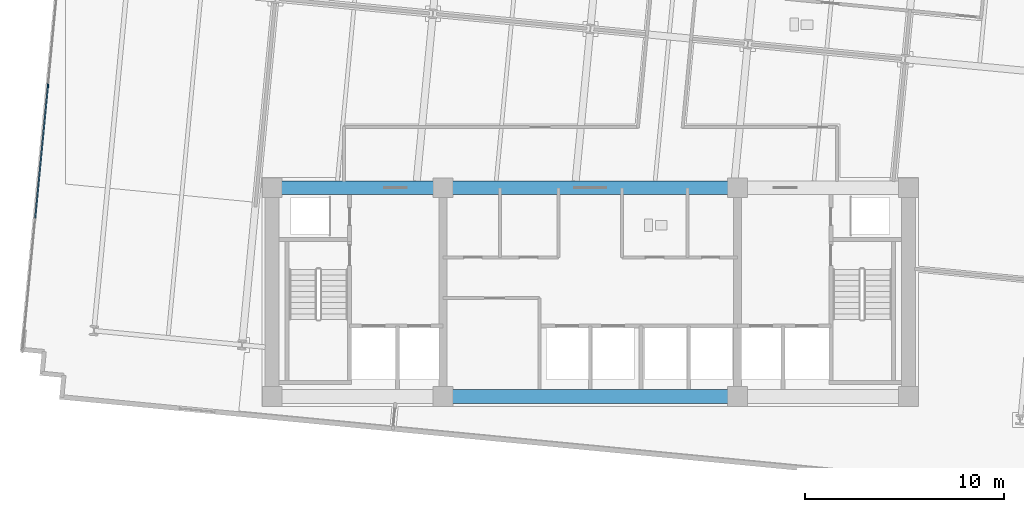
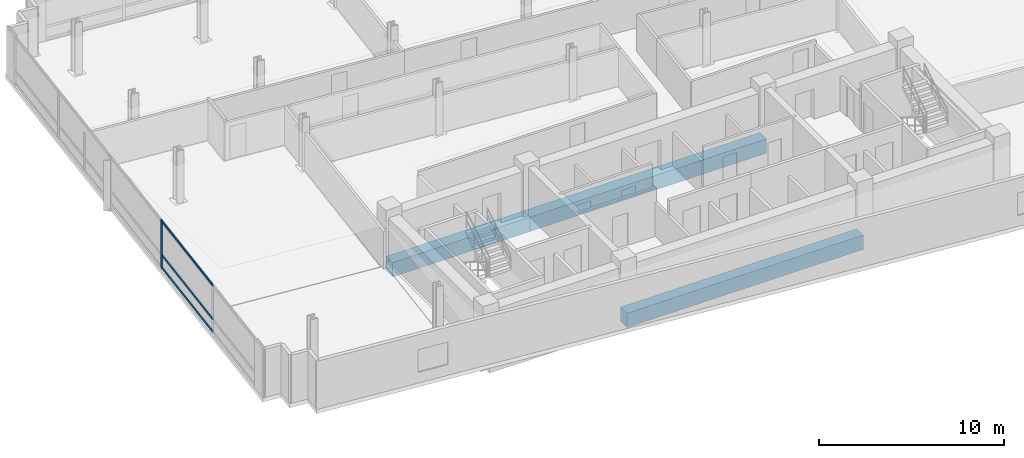
# One storey, part 3 of 17: 4 members, 3 beams, 1 element without a shape of its own.
"""IFC4 building model written with IfcOpenShell, lengths in metres."""

from ifc_helpers import new_model, si_unit, direction, frame, origin, origin_2d, place, context, subcontext, project, spatial, rectangle, extrude, material, material_profile, profile_set, type_object, element, aggregate, save


model = new_model("IFC4")

# Units and contexts
model_context = context("Model", 3, precision=1e-05, world=origin(), true_north=direction((0.0, 1.0)))
body_context = subcontext(model_context, "Body", "Model", "MODEL_VIEW")
ifc_project = project(units=[si_unit("LENGTHUNIT", "METRE"), si_unit("AREAUNIT", "SQUARE_METRE"), si_unit("VOLUMEUNIT", "CUBIC_METRE"), si_unit("PLANEANGLEUNIT", "RADIAN"), si_unit("MASSUNIT", "GRAM", prefix="KILO")], contexts=[model_context])

# Site, building, storey
site_placement = place(None, origin())
site = spatial("IfcSite", under=ifc_project, at=site_placement, CompositionType="ELEMENT")
building_placement = place(site_placement, origin())
building = spatial("IfcBuilding", under=site, at=building_placement, Name="Solmavex Isthmus Hotel", CompositionType="ELEMENT")
storey_placement = place(building_placement, frame((0.0, 0.0, 163.5)))
storey = spatial("IfcBuildingStorey", under=building, at=storey_placement, Name="L44", CompositionType="ELEMENT", Elevation=163.5)

# Beams
ifc_material_1 = material(Name="Concrete C60/75", Category="concrete")
ifc_material_profile_1 = material_profile(ifc_material_1, rectangle(XDim=0.699951171875, YDim=0.949951171875, at=origin_2d()), Name="RC700X950")
ifc_profile_set_1 = profile_set([ifc_material_profile_1], Name="Concrete C60/75")
beam_type = type_object("IfcBeamType", Name="BM-CB-700X950", PredefinedType="BEAM", material=ifc_profile_set_1)
beam_1_placement = place(storey_placement, frame((-7.39990234375, -13.0, -0.735107421875), z_axis=(1.0, 0.0, 0.0), x_axis=(0.0, 1.0, 0.0)))
element("IfcBeam", 1, at=beam_1_placement, inside=storey, type_object=beam_type, Name="Core Coupling Beam L44-CB2", PredefinedType="BEAM", context=body_context, shape_type="SweptSolid", body=[
    extrude(rectangle(XDim=0.699951171875, YDim=0.949951171875, at=origin_2d()), origin(), (0.0, 0.0, 1.0), 14.7998046875),
])
beam_2_placement = place(storey_placement, frame((-16.0, -2.5, -0.735107421875), z_axis=(1.0, 0.0, 0.0), x_axis=(0.0, 1.0, 0.0)))
element("IfcBeam", 2, at=beam_2_placement, inside=storey, type_object=beam_type, Name="Core Coupling Beam L44-CB4", PredefinedType="BEAM", context=body_context, shape_type="SweptSolid", body=[
    extrude(rectangle(XDim=0.699951171875, YDim=0.949951171875, at=origin_2d()), origin(), (0.0, 0.0, 1.0), 8.60009765625),
])
beam_3_placement = place(storey_placement, frame((-7.39990234375, -2.5, -0.735107421875), z_axis=(1.0, 0.0, 0.0), x_axis=(0.0, 1.0, 0.0)))
element("IfcBeam", 3, at=beam_3_placement, inside=storey, type_object=beam_type, Name="Core Coupling Beam L44-CB5", PredefinedType="BEAM", context=body_context, shape_type="SweptSolid", body=[
    extrude(rectangle(XDim=0.699951171875, YDim=0.949951171875, at=origin_2d()), origin(), (0.0, 0.0, 1.0), 14.7998046875),
])

# Curtain wall, members
ifc_material_2 = material(Name="Aluminium alloy 6063-T6", Category="aluminium")
curtain_wall_type = type_object("IfcCurtainWallType", Name="CW-SYS-03", PredefinedType="NOTDEFINED", material=ifc_material_2)
curtain_wall_placement = place(storey_placement, origin())
curtain_wall = element("IfcCurtainWall", 4, at=curtain_wall_placement, inside=storey, type_object=curtain_wall_type, Name="Stick Curtain Wall CWL-L44-W1", PredefinedType="NOTDEFINED")
ifc_material_profile_2 = material_profile(ifc_material_2, rectangle(XDim=0.070068359375, YDim=0.179931640625, at=origin_2d()), Name="CWM-70X180")
ifc_profile_set_2 = profile_set([ifc_material_profile_2], Name="Aluminium alloy 6063-T6")
member_type_1 = type_object("IfcMemberType", Name="CW-SYS-03-MUL", PredefinedType="MULLION", material=ifc_profile_set_2)
member_1_placement = place(storey_placement, frame((-27.2783203125, 2.6318359375, 0.0), z_axis=(0.0, 0.0, 1.0), x_axis=(-0.995396190038, 0.09584583902, 0.0)))
member_1 = element("IfcMember", 5, at=member_1_placement, type_object=member_type_1, Name="CW-03 mullion 3", PredefinedType="MULLION", context=body_context, shape_type="SweptSolid", body=[
    extrude(rectangle(XDim=0.070068359375, YDim=0.179931640625, at=origin_2d()), origin(), (0.0, 0.0, 1.0), 3.18994140625),
])
ifc_material_profile_3 = material_profile(ifc_material_2, rectangle(XDim=0.070068359375, YDim=0.139892578125, at=origin_2d()), Name="CWT-70X140")
ifc_profile_set_3 = profile_set([ifc_material_profile_3], Name="Aluminium alloy 6063-T6")
member_type_2 = type_object("IfcMemberType", Name="CW-SYS-03-TRN", PredefinedType="USERDEFINED", material=ifc_profile_set_3)
member_2_placement = place(storey_placement, frame((-27.9189453125, -4.0224609375, 0.070068359375), z_axis=(0.095820836451, 0.995398597197, 0.0), x_axis=(-0.995398597197, 0.095820836451, 0.0)))
member_2 = element("IfcMember", 6, at=member_2_placement, type_object=member_type_2, Name="CW-03 transom 2.1", ObjectType="TRANSOM", PredefinedType="USERDEFINED", context=body_context, shape_type="SweptSolid", body=[
    extrude(rectangle(XDim=0.070068359375, YDim=0.139892578125, at=origin_2d()), origin(), (0.0, 0.0, 1.0), 6.64990234375),
])
member_3_placement = place(storey_placement, frame((-27.9189453125, -4.0224609375, 0.89990234375), z_axis=(0.095820836451, 0.995398597197, 0.0), x_axis=(-0.995398597197, 0.095820836451, 0.0)))
member_3 = element("IfcMember", 7, at=member_3_placement, type_object=member_type_2, Name="CW-03 transom 2.2", ObjectType="TRANSOM", PredefinedType="USERDEFINED", context=body_context, shape_type="SweptSolid", body=[
    extrude(rectangle(XDim=0.070068359375, YDim=0.139892578125, at=origin_2d()), origin(), (0.0, 0.0, 1.0), 6.64990234375),
])
member_4_placement = place(storey_placement, frame((-27.9189453125, -4.0224609375, 3.1201171875), z_axis=(0.095820836451, 0.995398597197, 0.0), x_axis=(-0.995398597197, 0.095820836451, 0.0)))
member_4 = element("IfcMember", 8, at=member_4_placement, type_object=member_type_2, Name="CW-03 transom 2.3", ObjectType="TRANSOM", PredefinedType="USERDEFINED", context=body_context, shape_type="SweptSolid", body=[
    extrude(rectangle(XDim=0.070068359375, YDim=0.139892578125, at=origin_2d()), origin(), (0.0, 0.0, 1.0), 6.64990234375),
])
aggregate(curtain_wall, [member_1, member_2, member_3, member_4])

save(model, "model.ifc")
